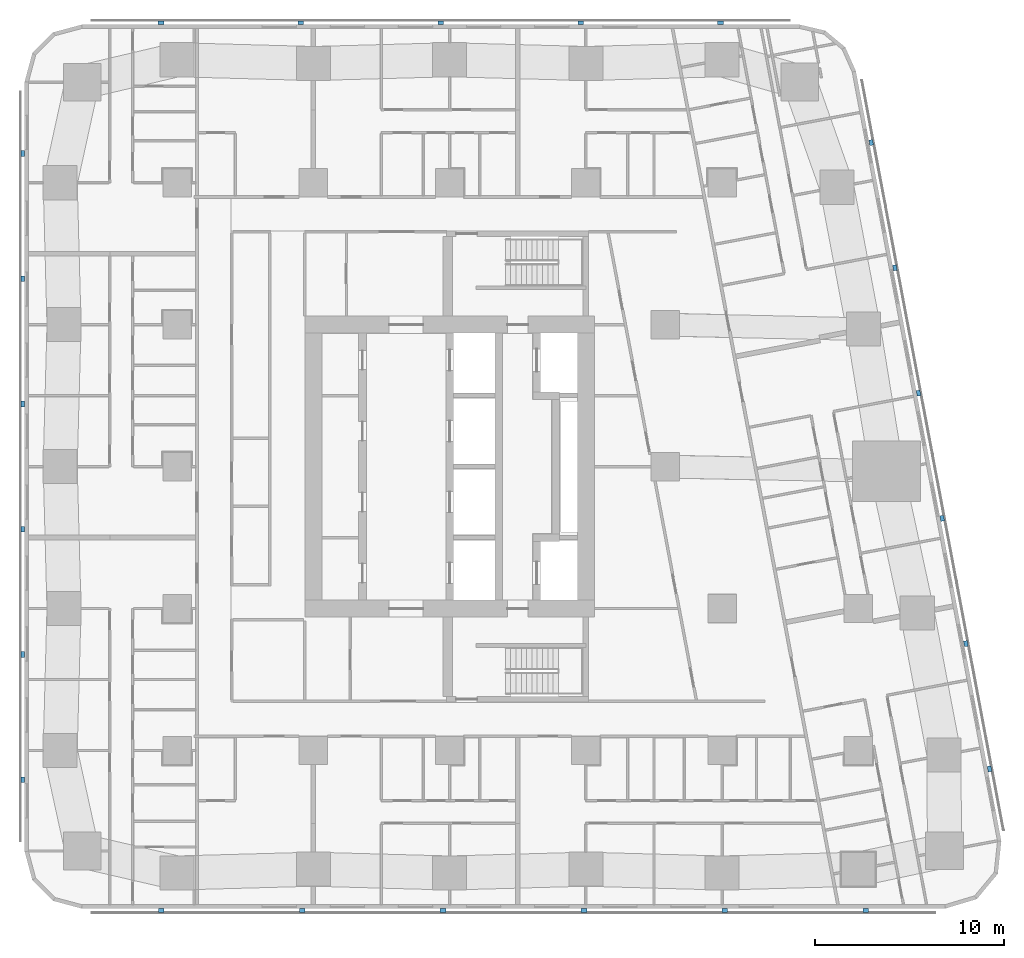
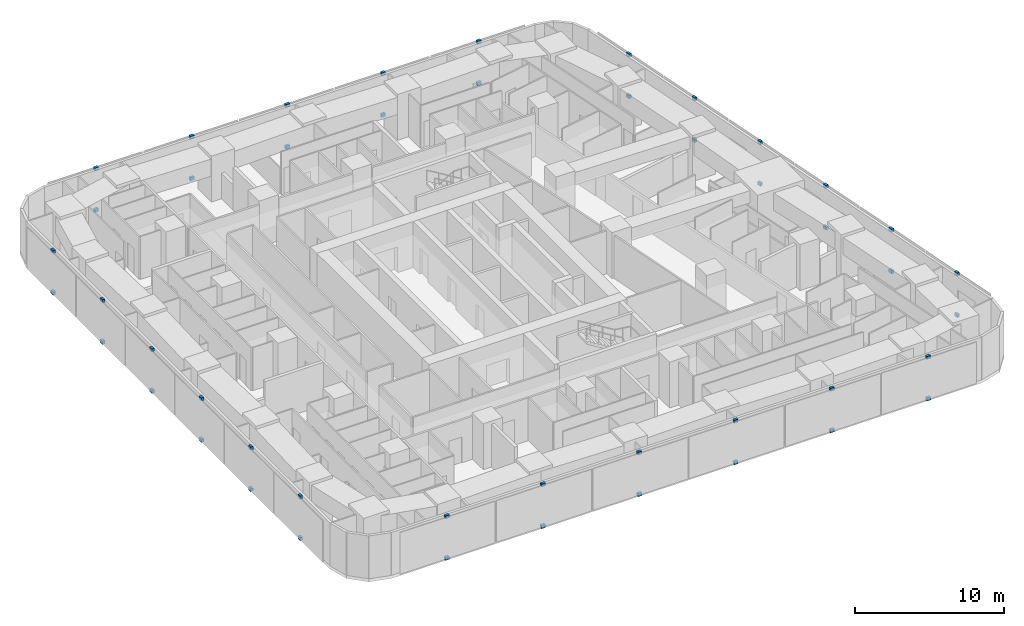
# One storey, part 12 of 15: 46 discrete accessories.
"""IFC4 building model written with IfcOpenShell, lengths in metres."""

from ifc_helpers import new_model, si_unit, direction, frame, origin, origin_2d, place, context, subcontext, project, spatial, rectangle, extrude, material, type_object, element, save


model = new_model("IFC4")

# Units and contexts
model_context = context("Model", 3, precision=1e-05, world=origin(), true_north=direction((0.0, 1.0)))
body_context = subcontext(model_context, "Body", "Model", "MODEL_VIEW")
ifc_project = project(units=[si_unit("LENGTHUNIT", "METRE"), si_unit("AREAUNIT", "SQUARE_METRE"), si_unit("VOLUMEUNIT", "CUBIC_METRE"), si_unit("PLANEANGLEUNIT", "RADIAN"), si_unit("MASSUNIT", "GRAM", prefix="KILO")], contexts=[model_context])

# Site, building, storey
site_placement = place(None, origin())
site = spatial("IfcSite", under=ifc_project, at=site_placement, CompositionType="ELEMENT")
building_placement = place(site_placement, origin())
building = spatial("IfcBuilding", under=site, at=building_placement, Name="Sheger Commons Tower", CompositionType="ELEMENT")
storey_placement = place(building_placement, frame((0.0, 0.0, 147.050048828125)))
storey = spatial("IfcBuildingStorey", under=building, at=storey_placement, Name="L37", CompositionType="ELEMENT", Elevation=147.050048828125)

# Discrete accessories
ifc_material = material(Name="Black painted steel bracket", Category="steel")
discrete_accessory_type = type_object("IfcDiscreteAccessoryType", Name="SCREEN BRACKET 300x200x250", PredefinedType="BRACKET", material=ifc_material)
for number, where, z_axis, x_axis, name in (
    (1, (6.37109375, -0.949951171875, -0.10009765625), (0.0, 0.0, 1.0), (1.0, 0.0, 0.0), "Solar screen foot bracket"),
    (2, (6.37109375, -0.949951171875, 3.300048828125), (0.0, 0.0, 1.0), (1.0, 0.0, 0.0), "Solar screen head bracket"),
    (3, (13.81396484375, -0.949951171875, -0.10009765625), (0.0, 0.0, 1.0), (1.0, 0.0, 0.0), "Solar screen foot bracket"),
    (4, (13.81396484375, -0.949951171875, 3.300048828125), (0.0, 0.0, 1.0), (1.0, 0.0, 0.0), "Solar screen head bracket"),
    (5, (21.257080078125, -0.949951171875, -0.10009765625), (0.0, 0.0, 1.0), (1.0, 0.0, 0.0), "Solar screen foot bracket"),
    (6, (21.257080078125, -0.949951171875, 3.300048828125), (0.0, 0.0, 1.0), (1.0, 0.0, 0.0), "Solar screen head bracket"),
    (7, (28.698974609375, -0.949951171875, -0.10009765625), (0.0, 0.0, 1.0), (1.0, 0.0, 0.0), "Solar screen foot bracket"),
    (8, (28.698974609375, -0.949951171875, 3.300048828125), (0.0, 0.0, 1.0), (1.0, 0.0, 0.0), "Solar screen head bracket"),
    (9, (36.14208984375, -0.949951171875, -0.10009765625), (0.0, 0.0, 1.0), (1.0, 0.0, 0.0), "Solar screen foot bracket"),
    (10, (36.14208984375, -0.949951171875, 3.300048828125), (0.0, 0.0, 1.0), (1.0, 0.0, 0.0), "Solar screen head bracket"),
    (11, (43.5849609375, -0.949951171875, -0.10009765625), (0.0, 0.0, 1.0), (1.0, 0.0, 0.0), "Solar screen foot bracket"),
    (12, (43.5849609375, -0.949951171875, 3.300048828125), (0.0, 0.0, 1.0), (1.0, 0.0, 0.0), "Solar screen head bracket"),
    (13, (50.134033203125, 6.527099609375, -0.10009765625), (0.0, 0.0, 1.0), (-0.185615165645, 0.982622516678, 0.0), "Solar screen foot bracket"),
    (14, (50.134033203125, 6.527099609375, 3.300048828125), (0.0, 0.0, 1.0), (-0.185615165645, 0.982622516678, 0.0), "Solar screen head bracket"),
    (15, (48.884033203125, 13.14599609375, -0.10009765625), (0.0, 0.0, 1.0), (-0.185615165645, 0.982622516678, 0.0), "Solar screen foot bracket"),
    (16, (48.884033203125, 13.14599609375, 3.300048828125), (0.0, 0.0, 1.0), (-0.185615165645, 0.982622516678, 0.0), "Solar screen head bracket"),
    (17, (47.633056640625, 19.76611328125, -0.10009765625), (0.0, 0.0, 1.0), (-0.185615165645, 0.982622516678, 0.0), "Solar screen foot bracket"),
    (18, (47.633056640625, 19.76611328125, 3.300048828125), (0.0, 0.0, 1.0), (-0.185615165645, 0.982622516678, 0.0), "Solar screen head bracket"),
    (19, (46.383056640625, 26.385009765625, -0.10009765625), (0.0, 0.0, 1.0), (-0.185615165645, 0.982622516678, 0.0), "Solar screen foot bracket"),
    (20, (46.383056640625, 26.385009765625, 3.300048828125), (0.0, 0.0, 1.0), (-0.185615165645, 0.982622516678, 0.0), "Solar screen head bracket"),
    (21, (45.133056640625, 33.0048828125, -0.10009765625), (0.0, 0.0, 1.0), (-0.185615165645, 0.982622516678, 0.0), "Solar screen foot bracket"),
    (22, (45.133056640625, 33.0048828125, 3.300048828125), (0.0, 0.0, 1.0), (-0.185615165645, 0.982622516678, 0.0), "Solar screen head bracket"),
    (23, (43.882080078125, 39.6240234375, -0.10009765625), (0.0, 0.0, 1.0), (-0.185615165645, 0.982622516678, 0.0), "Solar screen foot bracket"),
    (24, (43.882080078125, 39.6240234375, 3.300048828125), (0.0, 0.0, 1.0), (-0.185615165645, 0.982622516678, 0.0), "Solar screen head bracket"),
    (25, (35.9208984375, 45.949951171875, -0.10009765625), (0.0, 0.0, 1.0), (-1.0, 0.0, 0.0), "Solar screen foot bracket"),
    (26, (35.9208984375, 45.949951171875, 3.300048828125), (0.0, 0.0, 1.0), (-1.0, 0.0, 0.0), "Solar screen head bracket"),
    (27, (28.528076171875, 45.949951171875, -0.10009765625), (0.0, 0.0, 1.0), (-1.0, 0.0, 0.0), "Solar screen foot bracket"),
    (28, (28.528076171875, 45.949951171875, 3.300048828125), (0.0, 0.0, 1.0), (-1.0, 0.0, 0.0), "Solar screen head bracket"),
    (29, (21.134033203125, 45.949951171875, -0.10009765625), (0.0, 0.0, 1.0), (-1.0, 0.0, 0.0), "Solar screen foot bracket"),
    (30, (21.134033203125, 45.949951171875, 3.300048828125), (0.0, 0.0, 1.0), (-1.0, 0.0, 0.0), "Solar screen head bracket"),
    (31, (13.739990234375, 45.949951171875, -0.10009765625), (0.0, 0.0, 1.0), (-1.0, 0.0, 0.0), "Solar screen foot bracket"),
    (32, (13.739990234375, 45.949951171875, 3.300048828125), (0.0, 0.0, 1.0), (-1.0, 0.0, 0.0), "Solar screen head bracket"),
    (33, (6.346923828125, 45.949951171875, -0.10009765625), (0.0, 0.0, 1.0), (-1.0, 0.0, 0.0), "Solar screen foot bracket"),
    (34, (6.346923828125, 45.949951171875, 3.300048828125), (0.0, 0.0, 1.0), (-1.0, 0.0, 0.0), "Solar screen head bracket"),
    (35, (-0.949951171875, 39.0419921875, -0.10009765625), (0.0, 0.0, 1.0), (0.0, -1.0, 0.0), "Solar screen foot bracket"),
    (36, (-0.949951171875, 39.0419921875, 3.300048828125), (0.0, 0.0, 1.0), (0.0, -1.0, 0.0), "Solar screen head bracket"),
    (37, (-0.949951171875, 32.425048828125, -0.10009765625), (0.0, 0.0, 1.0), (0.0, -1.0, 0.0), "Solar screen foot bracket"),
    (38, (-0.949951171875, 32.425048828125, 3.300048828125), (0.0, 0.0, 1.0), (0.0, -1.0, 0.0), "Solar screen head bracket"),
    (39, (-0.949951171875, 25.80810546875, -0.10009765625), (0.0, 0.0, 1.0), (0.0, -1.0, 0.0), "Solar screen foot bracket"),
    (40, (-0.949951171875, 25.80810546875, 3.300048828125), (0.0, 0.0, 1.0), (0.0, -1.0, 0.0), "Solar screen head bracket"),
    (41, (-0.949951171875, 19.19189453125, -0.10009765625), (0.0, 0.0, 1.0), (0.0, -1.0, 0.0), "Solar screen foot bracket"),
    (42, (-0.949951171875, 19.19189453125, 3.300048828125), (0.0, 0.0, 1.0), (0.0, -1.0, 0.0), "Solar screen head bracket"),
    (43, (-0.949951171875, 12.574951171875, -0.10009765625), (0.0, 0.0, 1.0), (0.0, -1.0, 0.0), "Solar screen foot bracket"),
    (44, (-0.949951171875, 12.574951171875, 3.300048828125), (0.0, 0.0, 1.0), (0.0, -1.0, 0.0), "Solar screen head bracket"),
    (45, (-0.949951171875, 5.9580078125, -0.10009765625), (0.0, 0.0, 1.0), (0.0, -1.0, 0.0), "Solar screen foot bracket"),
    (46, (-0.949951171875, 5.9580078125, 3.300048828125), (0.0, 0.0, 1.0), (0.0, -1.0, 0.0), "Solar screen head bracket"),
):
    element("IfcDiscreteAccessory", number, at=place(storey_placement, frame(where, z_axis=z_axis, x_axis=x_axis)), inside=storey, type_object=discrete_accessory_type, Name=name, PredefinedType="BRACKET", context=body_context, shape_type="SweptSolid", body=[
        extrude(rectangle(XDim=0.300048828125, YDim=0.199951171875, at=origin_2d()), origin(), (0.0, 0.0, 1.0), 0.25),
    ])

save(model, "model.ifc")
